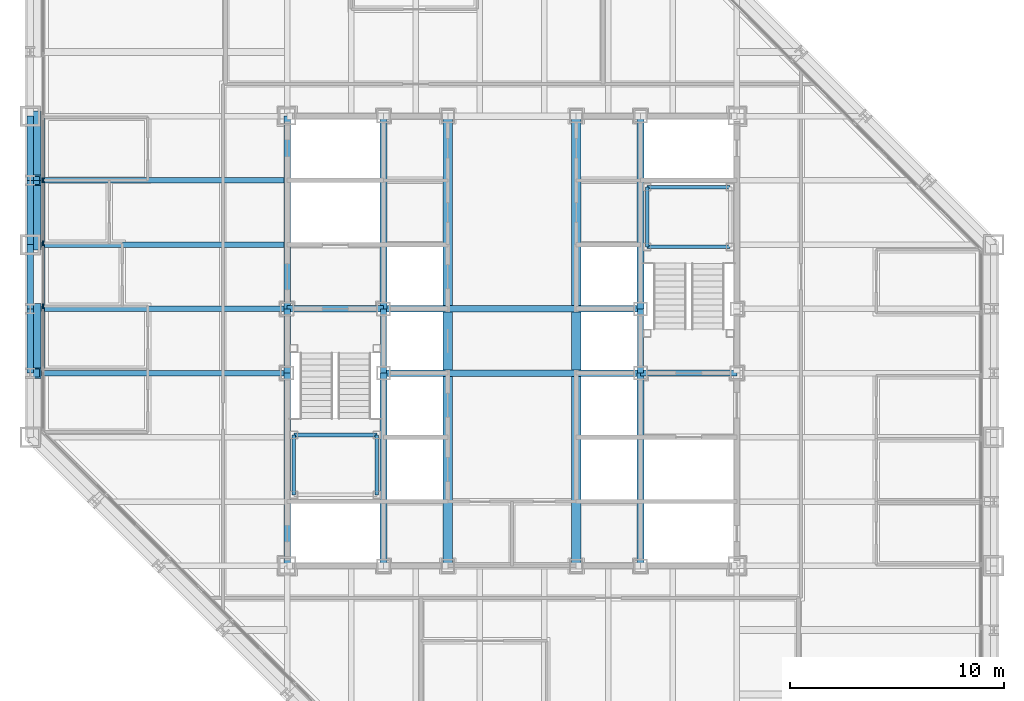
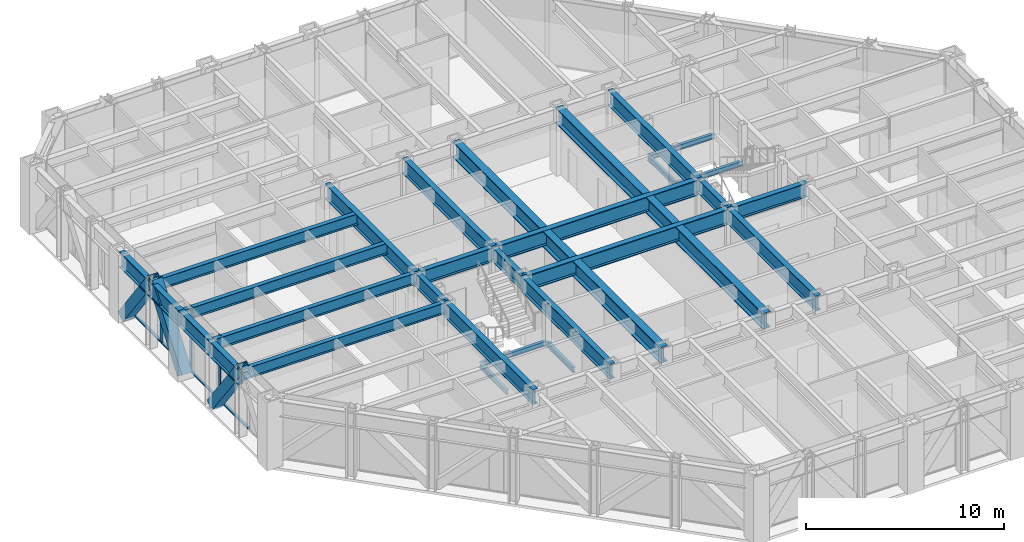
# One storey, part 5 of 16: 33 beams, 10 members, 1 element without a shape of its own.
"""IFC4 building model written with IfcOpenShell, lengths in metres."""

from ifc_helpers import new_model, si_unit, direction, frame, origin, origin_2d, place, context, subcontext, project, spatial, rectangle, hollow_rectangle, i_section, extrude, material, layer, layer_set, material_profile, profile_set, type_object, element, aggregate, save


model = new_model("IFC4")

# Units and contexts
model_context = context("Model", 3, precision=1e-05, world=origin(), true_north=direction((0.0, 1.0)))
body_context = subcontext(model_context, "Body", "Model", "MODEL_VIEW")
ifc_project = project(units=[si_unit("LENGTHUNIT", "METRE"), si_unit("AREAUNIT", "SQUARE_METRE"), si_unit("VOLUMEUNIT", "CUBIC_METRE"), si_unit("PLANEANGLEUNIT", "RADIAN"), si_unit("MASSUNIT", "GRAM", prefix="KILO")], contexts=[model_context])

# Site, building, storey
site_placement = place(None, origin())
site = spatial("IfcSite", under=ifc_project, at=site_placement, CompositionType="ELEMENT")
building_placement = place(site_placement, origin())
building = spatial("IfcBuilding", under=site, at=building_placement, Name="Chuquiago Exchange Tower", CompositionType="ELEMENT")
storey_placement = place(building_placement, frame((0.0, 0.0, 144.60009765625)))
storey = spatial("IfcBuildingStorey", under=building, at=storey_placement, Name="L31", CompositionType="ELEMENT", Elevation=144.60009765625)

# Beams
ifc_material_1 = material(Name="Steel ASTM A992", Category="steel")
ifc_material_profile_1 = material_profile(ifc_material_1, i_section(OverallWidth=0.25390625, OverallDepth=0.683349609375, WebThickness=0.012451171875, FlangeThickness=0.018798828125, at=origin_2d()), Name="W27X94")
ifc_profile_set_1 = profile_set([ifc_material_profile_1], Name="Steel ASTM A992")
beam_type_1 = type_object("IfcBeamType", Name="B1 W27X94", PredefinedType="BEAM", material=ifc_profile_set_1)
for number, where, z_axis, x_axis, name in (
    (1, (12.0, 21.0, 3.6982421875), (-1.0, 0.0, 0.0), (0.0, -1.0, 0.0), "FB-L32-infill-12_21--0_21-0"),
    (2, (12.0, 24.0, 3.6982421875), (-1.0, 0.0, 0.0), (0.0, -1.0, 0.0), "FB-L32-infill-12_24--0_24-0"),
    (3, (12.0, 27.0, 3.6982421875), (-1.0, 0.0, 0.0), (0.0, -1.0, 0.0), "FB-L32-infill-12_27--0_27-0"),
    (4, (12.0, 30.0, 3.6982421875), (-1.0, 0.0, 0.0), (0.0, -1.0, 0.0), "FB-L32-infill-12_30--0_30-0"),
):
    element("IfcBeam", number, at=place(storey_placement, frame(where, z_axis=z_axis, x_axis=x_axis)), inside=storey, type_object=beam_type_1, Name=name, PredefinedType="BEAM", context=body_context, shape_type="SweptSolid", body=[
        extrude(i_section(OverallWidth=0.25390625, OverallDepth=0.683349609375, WebThickness=0.012451171875, FlangeThickness=0.018798828125, at=origin_2d()), origin(), (0.0, 0.0, 1.0), 12.0),
    ])
ifc_material_2 = material(Name="Steel ASTM A992", Category="steel")
ifc_material_profile_2 = material_profile(ifc_material_2, i_section(OverallWidth=0.307373046875, OverallDepth=0.927001953125, WebThickness=0.01953125, FlangeThickness=0.031982421875, at=origin_2d()), Name="W36X194")
ifc_profile_set_2 = profile_set([ifc_material_profile_2], Name="Steel ASTM A992")
beam_type_2 = type_object("IfcBeamType", Name="B10 W36X194", PredefinedType="BEAM", material=ifc_profile_set_2)
for number, where, z_axis, x_axis, name in (
    (5, (12.0, 12.0, 3.576416015625), (0.0, 1.0, 0.0), (-1.0, 0.0, 0.0), "CB-L32-12_12-12_21"),
    (6, (12.0, 24.0, 3.576416015625), (0.0, 1.0, 0.0), (-1.0, 0.0, 0.0), "CB-L32-12_24-12_33"),
    (7, (16.5, 12.0, 3.576416015625), (0.0, 1.0, 0.0), (-1.0, 0.0, 0.0), "CB-L32-16.5_12-16.5_21"),
    (8, (16.5, 24.0, 3.576416015625), (0.0, 1.0, 0.0), (-1.0, 0.0, 0.0), "CB-L32-16.5_24-16.5_33"),
    (9, (28.5, 12.0, 3.576416015625), (0.0, 1.0, 0.0), (-1.0, 0.0, 0.0), "CB-L32-28.5_12-28.5_21"),
    (10, (28.5, 24.0, 3.576416015625), (0.0, 1.0, 0.0), (-1.0, 0.0, 0.0), "CB-L32-28.5_24-28.5_33"),
):
    element("IfcBeam", number, at=place(storey_placement, frame(where, z_axis=z_axis, x_axis=x_axis)), inside=storey, type_object=beam_type_2, Name=name, PredefinedType="BEAM", context=body_context, shape_type="SweptSolid", body=[
        extrude(i_section(OverallWidth=0.307373046875, OverallDepth=0.927001953125, WebThickness=0.01953125, FlangeThickness=0.031982421875, at=origin_2d()), origin(), (0.0, 0.0, 1.0), 9.0),
    ])
ifc_material_3 = material(Name="Steel ASTM A992", Category="steel")
ifc_material_profile_3 = material_profile(ifc_material_3, i_section(OverallWidth=0.309814453125, OverallDepth=0.949951171875, WebThickness=0.0244140625, FlangeThickness=0.0439453125, at=origin_2d()), Name="W36X256")
ifc_profile_set_3 = profile_set([ifc_material_profile_3], Name="Steel ASTM A992")
beam_type_3 = type_object("IfcBeamType", Name="B11 W36X256", PredefinedType="BEAM", material=ifc_profile_set_3)
for number, where, z_axis, x_axis, name in (
    (11, (16.5, 21.0, 3.56494140625), (1.0, 0.0, 0.0), (0.0, 1.0, 0.0), "CB-L32-16.5_21-28.5_21"),
    (12, (16.5, 24.0, 3.56494140625), (1.0, 0.0, 0.0), (0.0, 1.0, 0.0), "CB-L32-16.5_24-28.5_24"),
):
    element("IfcBeam", number, at=place(storey_placement, frame(where, z_axis=z_axis, x_axis=x_axis)), inside=storey, type_object=beam_type_3, Name=name, PredefinedType="BEAM", context=body_context, shape_type="SweptSolid", body=[
        extrude(i_section(OverallWidth=0.309814453125, OverallDepth=0.949951171875, WebThickness=0.0244140625, FlangeThickness=0.0439453125, at=origin_2d()), origin(), (0.0, 0.0, 1.0), 12.0),
    ])
ifc_material_4 = material(Name="Steel ASTM A992", Category="steel")
ifc_material_profile_4 = material_profile(ifc_material_4, i_section(OverallWidth=0.4267578125, OverallDepth=0.975341796875, WebThickness=0.031005859375, FlangeThickness=0.055908203125, at=origin_2d()), Name="W36X395")
ifc_profile_set_4 = profile_set([ifc_material_profile_4], Name="Steel ASTM A992")
beam_type_4 = type_object("IfcBeamType", Name="B12 W36X395", PredefinedType="BEAM", material=ifc_profile_set_4)
beam_1_placement = place(storey_placement, frame((19.5, 12.0, 3.55224609375), z_axis=(0.0, 1.0, 0.0), x_axis=(-1.0, 0.0, 0.0)))
element("IfcBeam", 13, at=beam_1_placement, inside=storey, type_object=beam_type_4, Name="CB-L32-19.5_12-19.5_20.8451", PredefinedType="BEAM", context=body_context, shape_type="SweptSolid", body=[
    extrude(i_section(OverallWidth=0.4267578125, OverallDepth=0.975341796875, WebThickness=0.031005859375, FlangeThickness=0.055908203125, at=origin_2d()), origin(), (0.0, 0.0, 1.0), 8.84521484375),
])
beam_2_placement = place(storey_placement, frame((19.5, 21.15478515625, 3.55224609375), z_axis=(0.0, 1.0, 0.0), x_axis=(-1.0, 0.0, 0.0)))
element("IfcBeam", 14, at=beam_2_placement, inside=storey, type_object=beam_type_4, Name="CB-L32-19.5_21.1549-19.5_23.8451", PredefinedType="BEAM", context=body_context, shape_type="SweptSolid", body=[
    extrude(i_section(OverallWidth=0.4267578125, OverallDepth=0.975341796875, WebThickness=0.031005859375, FlangeThickness=0.055908203125, at=origin_2d()), origin(), (0.0, 0.0, 1.0), 2.6904296875),
])
for number, where, z_axis, x_axis, name in (
    (15, (19.5, 24.15478515625, 3.55224609375), (0.0, 1.0, 0.0), (-1.0, 0.0, 0.0), "CB-L32-19.5_24.1549-19.5_33"),
    (16, (25.5, 12.0, 3.55224609375), (0.0, 1.0, 0.0), (-1.0, 0.0, 0.0), "CB-L32-25.5_12-25.5_20.8451"),
):
    element("IfcBeam", number, at=place(storey_placement, frame(where, z_axis=z_axis, x_axis=x_axis)), inside=storey, type_object=beam_type_4, Name=name, PredefinedType="BEAM", context=body_context, shape_type="SweptSolid", body=[
        extrude(i_section(OverallWidth=0.4267578125, OverallDepth=0.975341796875, WebThickness=0.031005859375, FlangeThickness=0.055908203125, at=origin_2d()), origin(), (0.0, 0.0, 1.0), 8.84521484375),
    ])
beam_3_placement = place(storey_placement, frame((25.5, 21.15478515625, 3.55224609375), z_axis=(0.0, 1.0, 0.0), x_axis=(-1.0, 0.0, 0.0)))
element("IfcBeam", 17, at=beam_3_placement, inside=storey, type_object=beam_type_4, Name="CB-L32-25.5_21.1549-25.5_23.8451", PredefinedType="BEAM", context=body_context, shape_type="SweptSolid", body=[
    extrude(i_section(OverallWidth=0.4267578125, OverallDepth=0.975341796875, WebThickness=0.031005859375, FlangeThickness=0.055908203125, at=origin_2d()), origin(), (0.0, 0.0, 1.0), 2.6904296875),
])
beam_4_placement = place(storey_placement, frame((25.5, 24.15478515625, 3.55224609375), z_axis=(0.0, 1.0, 0.0), x_axis=(-1.0, 0.0, 0.0)))
element("IfcBeam", 18, at=beam_4_placement, inside=storey, type_object=beam_type_4, Name="CB-L32-25.5_24.1549-25.5_33", PredefinedType="BEAM", context=body_context, shape_type="SweptSolid", body=[
    extrude(i_section(OverallWidth=0.4267578125, OverallDepth=0.975341796875, WebThickness=0.031005859375, FlangeThickness=0.055908203125, at=origin_2d()), origin(), (0.0, 0.0, 1.0), 8.84521484375),
])
ifc_material_5 = material(Name="Steel ASTM A992", Category="steel")
ifc_material_profile_5 = material_profile(ifc_material_5, i_section(OverallWidth=0.2919921875, OverallDepth=0.8583984375, WebThickness=0.01708984375, FlangeThickness=0.031005859375, at=origin_2d()), Name="W33X169")
ifc_profile_set_5 = profile_set([ifc_material_profile_5], Name="Steel ASTM A992")
beam_type_5 = type_object("IfcBeamType", Name="B3 W33X169", PredefinedType="BEAM", material=ifc_profile_set_5)
for number, where, z_axis, x_axis, name in (
    (19, (12.0, 21.0, 3.610595703125), (0.0, 1.0, 0.0), (-1.0, 0.0, 0.0), "CB-L32-12_21-12_24"),
    (20, (16.5, 21.0, 3.610595703125), (0.0, 1.0, 0.0), (-1.0, 0.0, 0.0), "CB-L32-16.5_21-16.5_24"),
    (21, (28.5, 21.0, 3.610595703125), (0.0, 1.0, 0.0), (-1.0, 0.0, 0.0), "CB-L32-28.5_21-28.5_24"),
):
    element("IfcBeam", number, at=place(storey_placement, frame(where, z_axis=z_axis, x_axis=x_axis)), inside=storey, type_object=beam_type_5, Name=name, PredefinedType="BEAM", context=body_context, shape_type="SweptSolid", body=[
        extrude(i_section(OverallWidth=0.2919921875, OverallDepth=0.8583984375, WebThickness=0.01708984375, FlangeThickness=0.031005859375, at=origin_2d()), origin(), (0.0, 0.0, 1.0), 3.0),
    ])
for number, where, z_axis, x_axis, name in (
    (22, (28.5, 21.0, 3.610595703125), (1.0, 0.0, 0.0), (0.0, 1.0, 0.0), "CB-L32-28.5_21-33_21"),
    (23, (12.0, 24.0, 3.610595703125), (1.0, 0.0, 0.0), (0.0, 1.0, 0.0), "CB-L32-12_24-16.5_24"),
):
    element("IfcBeam", number, at=place(storey_placement, frame(where, z_axis=z_axis, x_axis=x_axis)), inside=storey, type_object=beam_type_5, Name=name, PredefinedType="BEAM", context=body_context, shape_type="SweptSolid", body=[
        extrude(i_section(OverallWidth=0.2919921875, OverallDepth=0.8583984375, WebThickness=0.01708984375, FlangeThickness=0.031005859375, at=origin_2d()), origin(), (0.0, 0.0, 1.0), 4.5),
    ])

# Curtain wall, members
ifc_material_6 = material(Name="Aluminium curtain wall system", Category="aluminium")
ifc_layer = layer(ifc_material_6, 0.22509765625)
ifc_layer_set = layer_set([ifc_layer], Name="CW2 office curtain wall")
curtain_wall_type = type_object("IfcCurtainWallType", Name="CW2 office curtain wall", PredefinedType="NOTDEFINED", material=ifc_layer_set)
curtain_wall_placement = place(storey_placement, origin())
curtain_wall = element("IfcCurtainWall", 24, at=curtain_wall_placement, inside=storey, type_object=curtain_wall_type, Name="CW2 curtain wall L31", PredefinedType="NOTDEFINED")
ifc_material_7 = material(Name="Aluminium mullion, pale anodised", Category="aluminium")
ifc_material_profile_6 = material_profile(ifc_material_7, rectangle(XDim=0.06494140625, YDim=0.22509765625, at=origin_2d()), Name="AL 65x225")
ifc_profile_set_6 = profile_set([ifc_material_profile_6], Name="Aluminium mullion, pale anodised")
member_type_1 = type_object("IfcMemberType", Name="CW2-M mullion 65x225", PredefinedType="MULLION", material=ifc_profile_set_6)
member_1_placement = place(storey_placement, frame((0.60009765625, 30.0, 0.0), z_axis=(0.0, 0.0, 1.0), x_axis=(1.0, 0.0, 0.0)))
member_1 = element("IfcMember", 25, at=member_1_placement, type_object=member_type_1, Name="CW2 mullion 5", PredefinedType="MULLION", context=body_context, shape_type="SweptSolid", body=[
    extrude(rectangle(XDim=0.06494140625, YDim=0.22509765625, at=origin_2d()), origin(), (0.0, 0.0, 1.0), 4.039794921875),
])
member_2_placement = place(storey_placement, frame((0.60009765625, 27.06201171875, 0.0), z_axis=(0.0, 0.0, 1.0), x_axis=(1.0, 0.0, 0.0)))
member_2 = element("IfcMember", 26, at=member_2_placement, type_object=member_type_1, Name="CW2 mullion 6", PredefinedType="MULLION", context=body_context, shape_type="SweptSolid", body=[
    extrude(rectangle(XDim=0.06494140625, YDim=0.22509765625, at=origin_2d()), origin(), (0.0, 0.0, 1.0), 4.039794921875),
])
member_3_placement = place(storey_placement, frame((0.60009765625, 24.124267578125, 0.0), z_axis=(0.0, 0.0, 1.0), x_axis=(1.0, 0.0, 0.0)))
member_3 = element("IfcMember", 27, at=member_3_placement, type_object=member_type_1, Name="CW2 mullion 7", PredefinedType="MULLION", context=body_context, shape_type="SweptSolid", body=[
    extrude(rectangle(XDim=0.06494140625, YDim=0.22509765625, at=origin_2d()), origin(), (0.0, 0.0, 1.0), 4.039794921875),
])
ifc_material_8 = material(Name="Aluminium transom, pale anodised", Category="aluminium")
ifc_material_profile_7 = material_profile(ifc_material_8, rectangle(XDim=0.139892578125, YDim=0.06494140625, at=origin_2d()), Name="AL 140x65")
ifc_profile_set_7 = profile_set([ifc_material_profile_7], Name="Aluminium transom, pale anodised")
member_type_2 = type_object("IfcMemberType", Name="CW2-T transom 65x140", PredefinedType="MULLION", material=ifc_profile_set_7)
member_4_placement = place(storey_placement, frame((0.60009765625, 32.9052734375, 0.032470703125), z_axis=(0.0, -1.0, 0.0), x_axis=(1.0, 0.0, 0.0)))
member_4 = element("IfcMember", 28, at=member_4_placement, type_object=member_type_2, Name="CW2 transom 4.1", PredefinedType="MULLION", context=body_context, shape_type="SweptSolid", body=[
    extrude(rectangle(XDim=0.139892578125, YDim=0.06494140625, at=origin_2d()), origin(), (0.0, 0.0, 1.0), 2.872802734375),
])
member_5_placement = place(storey_placement, frame((0.60009765625, 29.967529296875, 0.032470703125), z_axis=(0.0, -1.0, 0.0), x_axis=(1.0, 0.0, 0.0)))
member_5 = element("IfcMember", 29, at=member_5_placement, type_object=member_type_2, Name="CW2 transom 5.1", PredefinedType="MULLION", context=body_context, shape_type="SweptSolid", body=[
    extrude(rectangle(XDim=0.139892578125, YDim=0.06494140625, at=origin_2d()), origin(), (0.0, 0.0, 1.0), 2.872802734375),
])
member_6_placement = place(storey_placement, frame((0.60009765625, 27.029541015625, 0.032470703125), z_axis=(0.0, -1.0, 0.0), x_axis=(1.0, 0.0, 0.0)))
member_6 = element("IfcMember", 30, at=member_6_placement, type_object=member_type_2, Name="CW2 transom 6.1", PredefinedType="MULLION", context=body_context, shape_type="SweptSolid", body=[
    extrude(rectangle(XDim=0.139892578125, YDim=0.06494140625, at=origin_2d()), origin(), (0.0, 0.0, 1.0), 2.872802734375),
])
member_7_placement = place(storey_placement, frame((0.60009765625, 24.091796875, 0.032470703125), z_axis=(0.0, -1.0, 0.0), x_axis=(1.0, 0.0, 0.0)))
member_7 = element("IfcMember", 31, at=member_7_placement, type_object=member_type_2, Name="CW2 transom 7.1", PredefinedType="MULLION", context=body_context, shape_type="SweptSolid", body=[
    extrude(rectangle(XDim=0.139892578125, YDim=0.06494140625, at=origin_2d()), origin(), (0.0, 0.0, 1.0), 2.872802734375),
])
aggregate(curtain_wall, [member_1, member_2, member_3, member_4, member_5, member_6, member_7])

# Beams
ifc_material_9 = material(Name="Steel ASTM A992", Category="steel")
ifc_material_profile_8 = material_profile(ifc_material_9, i_section(OverallWidth=0.164794921875, OverallDepth=0.309814453125, WebThickness=0.005859375, FlangeThickness=0.009765625, at=origin_2d()), Name="W12X26")
ifc_profile_set_8 = profile_set([ifc_material_profile_8], Name="Steel ASTM A992")
beam_type_6 = type_object("IfcBeamType", Name="LS1 W12X26", PredefinedType="BEAM", material=ifc_profile_set_8)
for number, where, z_axis, x_axis, name in (
    (32, (12.31005859375, 15.31005859375, 1.7451171875), (0.0, 1.0, 0.0), (-1.0, 0.0, 0.0), "Stair ST1 L31 landing 1 stringer"),
    (33, (16.18994140625, 15.31005859375, 1.7451171875), (0.0, 1.0, 0.0), (-1.0, 0.0, 0.0), "Stair ST1 L31 landing 1 stringer"),
    (34, (28.81005859375, 26.889892578125, 1.7451171875), (0.0, 1.0, 0.0), (-1.0, 0.0, 0.0), "Stair ST2 L31 landing 1 stringer"),
):
    element("IfcBeam", number, at=place(storey_placement, frame(where, z_axis=z_axis, x_axis=x_axis)), inside=storey, type_object=beam_type_6, Name=name, PredefinedType="BEAM", context=body_context, shape_type="SweptSolid", body=[
        extrude(i_section(OverallWidth=0.164794921875, OverallDepth=0.309814453125, WebThickness=0.005859375, FlangeThickness=0.009765625, at=origin_2d()), origin(), (0.0, 0.0, 1.0), 2.800048828125),
    ])
ifc_material_10 = material(Name="Steel ASTM A992", Category="steel")
ifc_material_profile_9 = material_profile(ifc_material_10, i_section(OverallWidth=0.164794921875, OverallDepth=0.309814453125, WebThickness=0.005859375, FlangeThickness=0.009765625, at=origin_2d()), Name="W12X26")
ifc_profile_set_9 = profile_set([ifc_material_profile_9], Name="Steel ASTM A992")
beam_type_7 = type_object("IfcBeamType", Name="LT1 W12X26", PredefinedType="BEAM", material=ifc_profile_set_9)
for number, where, z_axis, x_axis, name in (
    (35, (12.31005859375, 18.110107421875, 1.7451171875), (1.0, 0.0, 0.0), (0.0, 1.0, 0.0), "Stair ST1 L31 landing 1 trimmer"),
    (36, (28.81005859375, 29.68994140625, 1.7451171875), (1.0, 0.0, 0.0), (0.0, 1.0, 0.0), "Stair ST2 L31 landing 1 trimmer"),
    (37, (28.81005859375, 26.889892578125, 1.7451171875), (1.0, 0.0, 0.0), (0.0, 1.0, 0.0), "Stair ST2 L31 landing 1 trimmer"),
):
    element("IfcBeam", number, at=place(storey_placement, frame(where, z_axis=z_axis, x_axis=x_axis)), inside=storey, type_object=beam_type_7, Name=name, PredefinedType="BEAM", context=body_context, shape_type="SweptSolid", body=[
        extrude(i_section(OverallWidth=0.164794921875, OverallDepth=0.309814453125, WebThickness=0.005859375, FlangeThickness=0.009765625, at=origin_2d()), origin(), (0.0, 0.0, 1.0), 3.8798828125),
    ])

# Members
ifc_material_11 = material(Name="Steel ASTM A572 Grade 50", Category="steel")
ifc_material_profile_10 = material_profile(ifc_material_11, hollow_rectangle(XDim=0.60009765625, YDim=0.60009765625, WallThickness=0.06005859375, at=origin_2d()), Name="BOX600X600X60")
ifc_profile_set_10 = profile_set([ifc_material_profile_10], Name="Steel ASTM A572 Grade 50")
member_type_3 = type_object("IfcMemberType", Name="MB2 BOX600X600X60", PredefinedType="BRACE", material=ifc_profile_set_10)
for number, where, z_axis, x_axis, name in (
    (38, (0.205078125, 33.0, 0.0), (0.0, -0.596197146086, 0.802838067732), (1.0, 0.0, 0.0), "Mega diagonal L31 W face"),
    (39, (0.205078125, 27.0, 0.0), (0.0, 0.596197146086, 0.802838067732), (-1.0, 0.0, 0.0), "Mega diagonal L31 W face"),
    (40, (0.205078125, 24.0, 0.0), (0.0, -0.596197146086, 0.802838067732), (1.0, 0.0, 0.0), "Mega diagonal L31 W face"),
):
    element("IfcMember", number, at=place(storey_placement, frame(where, z_axis=z_axis, x_axis=x_axis)), inside=storey, type_object=member_type_3, Name=name, PredefinedType="BRACE", context=body_context, shape_type="SweptSolid", body=[
        extrude(hollow_rectangle(XDim=0.60009765625, YDim=0.60009765625, WallThickness=0.06005859375, at=origin_2d()), origin(), (0.0, 0.0, 1.0), 5.031982421875),
    ])

# Beams
ifc_material_12 = material(Name="Steel ASTM A992", Category="steel")
ifc_material_profile_11 = material_profile(ifc_material_12, i_section(OverallWidth=0.309814453125, OverallDepth=0.949951171875, WebThickness=0.0244140625, FlangeThickness=0.0439453125, at=origin_2d()), Name="W36X256")
ifc_profile_set_11 = profile_set([ifc_material_profile_11], Name="Steel ASTM A992")
beam_type_8 = type_object("IfcBeamType", Name="SP2 W36X256", PredefinedType="SPANDREL", material=ifc_profile_set_11)
for number, where, z_axis, x_axis, name in (
    (41, (0.0, 33.0, 3.56494140625), (0.0, -1.0, 0.0), (1.0, 0.0, 0.0), "SPB-L32-0_33-0_30"),
    (42, (0.0, 30.0, 3.56494140625), (0.0, -1.0, 0.0), (1.0, 0.0, 0.0), "SPB-L32-0_30-0_27"),
    (43, (0.0, 27.0, 3.56494140625), (0.0, -1.0, 0.0), (1.0, 0.0, 0.0), "SPB-L32-0_27-0_24"),
    (44, (0.0, 24.0, 3.56494140625), (0.0, -1.0, 0.0), (1.0, 0.0, 0.0), "SPB-L32-0_24-0_21"),
):
    element("IfcBeam", number, at=place(storey_placement, frame(where, z_axis=z_axis, x_axis=x_axis)), inside=storey, type_object=beam_type_8, Name=name, PredefinedType="SPANDREL", context=body_context, shape_type="SweptSolid", body=[
        extrude(i_section(OverallWidth=0.309814453125, OverallDepth=0.949951171875, WebThickness=0.0244140625, FlangeThickness=0.0439453125, at=origin_2d()), origin(), (0.0, 0.0, 1.0), 3.0),
    ])

save(model, "model.ifc")
